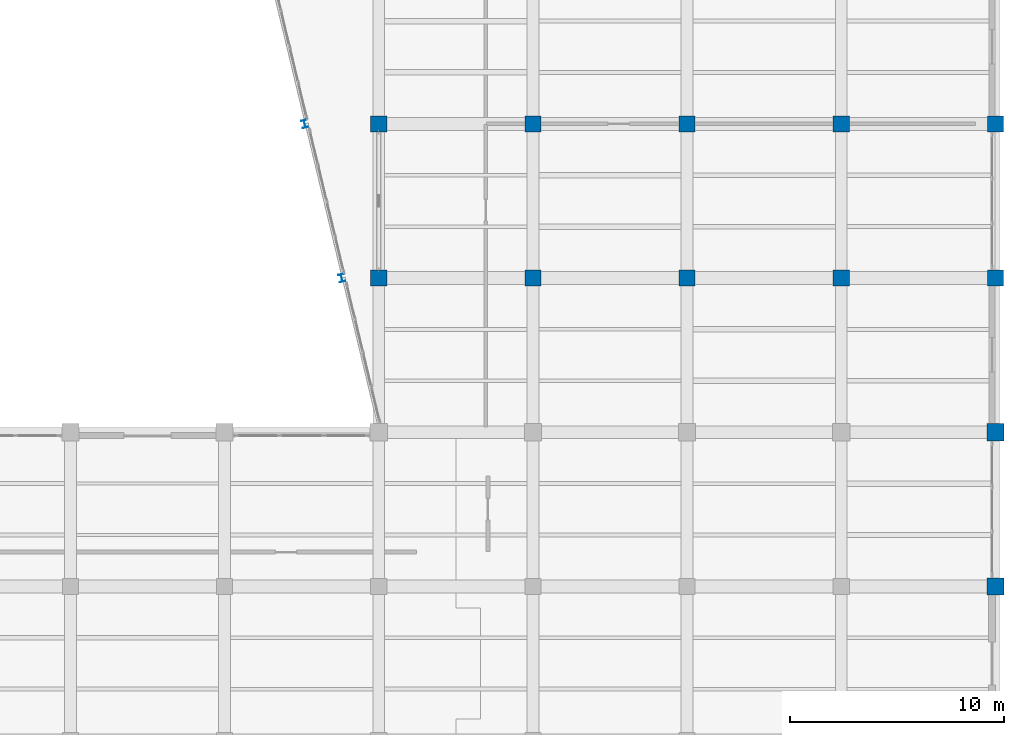
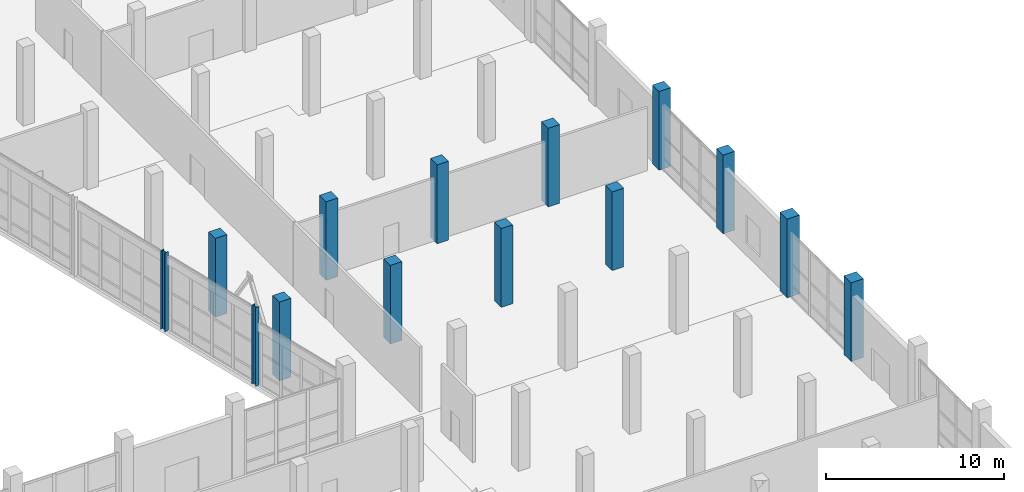
# One storey, part 6 of 137: 14 columns.
"""IFC4 building model written with IfcOpenShell, lengths in metres."""

from ifc_helpers import new_model, si_unit, direction, frame, origin, origin_2d, place, context, subcontext, project, spatial, rectangle, i_section, extrude, material, material_profile, profile_set, type_object, element, save


model = new_model("IFC4")

# Units and contexts
model_context = context("Model", 3, precision=1e-05, world=origin(), true_north=direction((0.0, 1.0)))
body_context = subcontext(model_context, "Body", "Model", "MODEL_VIEW")
ifc_project = project(units=[si_unit("LENGTHUNIT", "METRE"), si_unit("AREAUNIT", "SQUARE_METRE"), si_unit("VOLUMEUNIT", "CUBIC_METRE"), si_unit("PLANEANGLEUNIT", "RADIAN"), si_unit("MASSUNIT", "GRAM", prefix="KILO")], contexts=[model_context])

# Site, building, storey
site_placement = place(None, origin())
site = spatial("IfcSite", under=ifc_project, at=site_placement, CompositionType="ELEMENT")
building_placement = place(site_placement, origin())
building = spatial("IfcBuilding", under=site, at=building_placement, Name="Kalmorath City Hall", CompositionType="ELEMENT")
storey_placement = place(building_placement, origin())
storey = spatial("IfcBuildingStorey", under=building, at=storey_placement, Name="L00", CompositionType="ELEMENT", Elevation=0.0)

# Columns
ifc_material_1 = material(Name="Concrete C50/60", Category="concrete")
ifc_material_profile_1 = material_profile(ifc_material_1, rectangle(XDim=0.75, YDim=0.75, at=origin_2d()), Name="RC-COL-750X750")
ifc_profile_set_1 = profile_set([ifc_material_profile_1], Name="Concrete C50/60")
column_type_1 = type_object("IfcColumnType", Name="Concrete column 750x750", PredefinedType="COLUMN", material=ifc_profile_set_1)
for number, where, z_axis, x_axis, name in (
    (1, (136.800048828125, 50.39990234375, 0.0), (0.0, 0.0, 1.0), (1.0, 0.0, 0.0), "L00 column C3 (20/8)"),
    (2, (136.800048828125, 57.60009765625, 0.0), (0.0, 0.0, 1.0), (1.0, 0.0, 0.0), "L00 column C3 (20/9)"),
    (3, (144.0, 50.39990234375, 0.0), (0.0, 0.0, 1.0), (1.0, 0.0, 0.0), "L00 column C3 (21/8)"),
    (4, (144.0, 57.60009765625, 0.0), (0.0, 0.0, 1.0), (1.0, 0.0, 0.0), "L00 column C3 (21/9)"),
    (5, (151.199951171875, 50.39990234375, 0.0), (0.0, 0.0, 1.0), (1.0, 0.0, 0.0), "L00 column C3 (22/8)"),
    (6, (151.199951171875, 57.60009765625, 0.0), (0.0, 0.0, 1.0), (1.0, 0.0, 0.0), "L00 column C3 (22/9)"),
    (7, (158.39990234375, 50.39990234375, 0.0), (0.0, 0.0, 1.0), (1.0, 0.0, 0.0), "L00 column C3 (23/8)"),
    (8, (158.39990234375, 57.60009765625, 0.0), (0.0, 0.0, 1.0), (1.0, 0.0, 0.0), "L00 column C3 (23/9)"),
    (9, (165.60009765625, 50.39990234375, 0.0), (0.0, 0.0, 1.0), (1.0, 0.0, 0.0), "L00 column C3 (24/8)"),
    (10, (165.60009765625, 57.60009765625, 0.0), (0.0, 0.0, 1.0), (1.0, 0.0, 0.0), "L00 column C3 (24/9)"),
):
    element("IfcColumn", number, at=place(storey_placement, frame(where, z_axis=z_axis, x_axis=x_axis)), inside=storey, type_object=column_type_1, Name=name, PredefinedType="COLUMN", context=body_context, shape_type="SweptSolid", body=[
        extrude(rectangle(XDim=0.75, YDim=0.75, at=origin_2d()), origin(), (0.0, 0.0, 1.0), 5.39990234375),
    ])
ifc_material_2 = material(Name="Concrete C50/60", Category="concrete")
ifc_material_profile_2 = material_profile(ifc_material_2, rectangle(XDim=0.800048828125, YDim=0.800048828125, at=origin_2d()), Name="RC-COL-800X800")
ifc_profile_set_2 = profile_set([ifc_material_profile_2], Name="Concrete C50/60")
column_type_2 = type_object("IfcColumnType", Name="Concrete column 800x800", PredefinedType="COLUMN", material=ifc_profile_set_2)
for number, where, z_axis, x_axis, name in (
    (11, (165.60009765625, 36.0, 0.0), (0.0, 0.0, 1.0), (1.0, 0.0, 0.0), "L00 column C2 (24/6)"),
    (12, (165.60009765625, 43.199951171875, 0.0), (0.0, 0.0, 1.0), (1.0, 0.0, 0.0), "L00 column C2 (24/7)"),
):
    element("IfcColumn", number, at=place(storey_placement, frame(where, z_axis=z_axis, x_axis=x_axis)), inside=storey, type_object=column_type_2, Name=name, PredefinedType="COLUMN", context=body_context, shape_type="SweptSolid", body=[
        extrude(rectangle(XDim=0.800048828125, YDim=0.800048828125, at=origin_2d()), origin(), (0.0, 0.0, 1.0), 5.39990234375),
    ])
ifc_material_3 = material(Name="Steel ASTM A992 Grade 50", Category="steel")
ifc_material_profile_3 = material_profile(ifc_material_3, i_section(OverallWidth=0.256103515625, OverallDepth=0.360107421875, WebThickness=0.011474609375, FlangeThickness=0.02001953125, FilletRadius=0.014892578125, at=origin_2d()), Name="W14X74")
ifc_profile_set_3 = profile_set([ifc_material_profile_3], Name="Steel ASTM A992 Grade 50")
column_type_3 = type_object("IfcColumnType", Name="Steel wide-flange column W14X74", PredefinedType="COLUMN", material=ifc_profile_set_3)
for number, where, z_axis, x_axis, name in (
    (13, (135.0712890625, 50.39990234375, 0.0), (0.0, 0.0, 1.0), (0.972369920398, 0.233445363856, 0.0), "L00 library splay column SC4-2"),
    (14, (133.343017578125, 57.60009765625, 0.0), (0.0, 0.0, 1.0), (0.972369920398, 0.233445363856, 0.0), "L00 library splay column SC4-3"),
):
    element("IfcColumn", number, at=place(storey_placement, frame(where, z_axis=z_axis, x_axis=x_axis)), inside=storey, type_object=column_type_3, Name=name, PredefinedType="COLUMN", context=body_context, shape_type="SweptSolid", body=[
        extrude(i_section(OverallWidth=0.256103515625, OverallDepth=0.360107421875, WebThickness=0.011474609375, FlangeThickness=0.02001953125, FilletRadius=0.014892578125, at=origin_2d()), origin(), (0.0, 0.0, 1.0), 5.39990234375),
    ])

save(model, "model.ifc")
